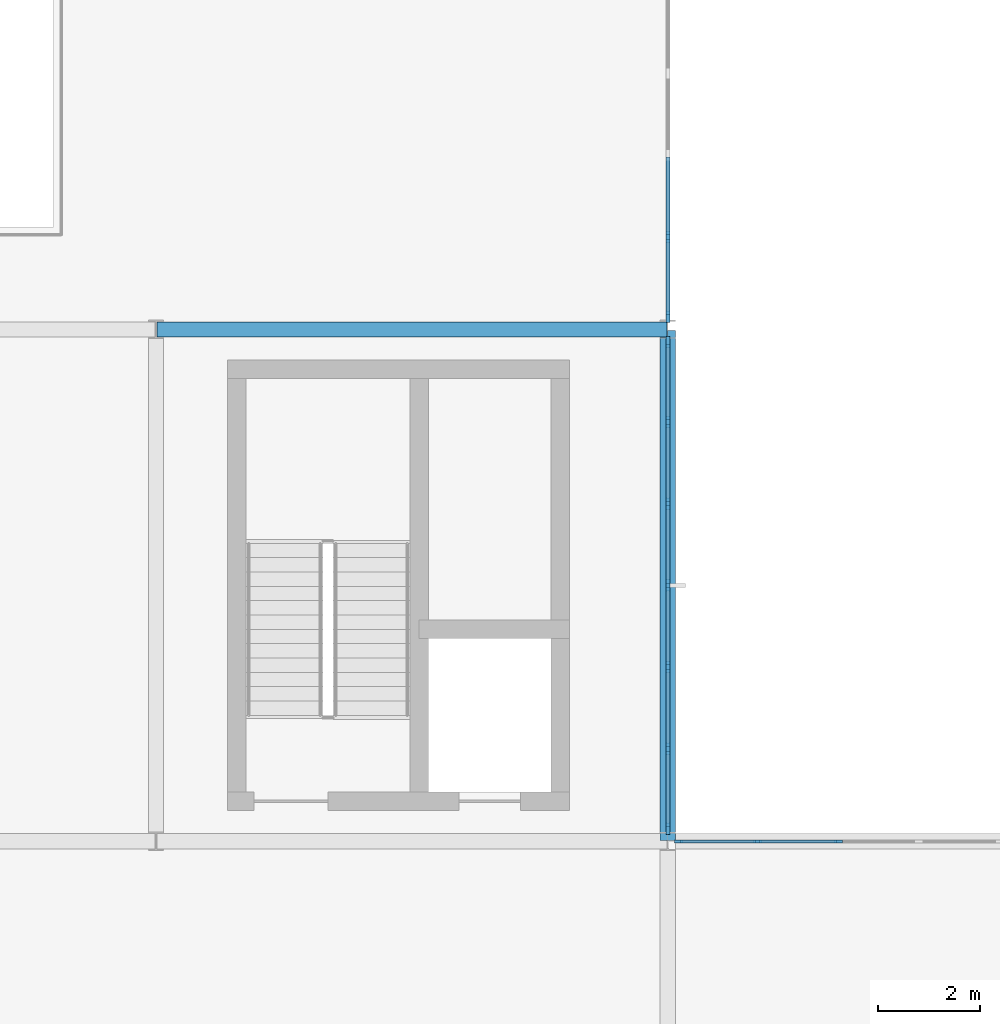
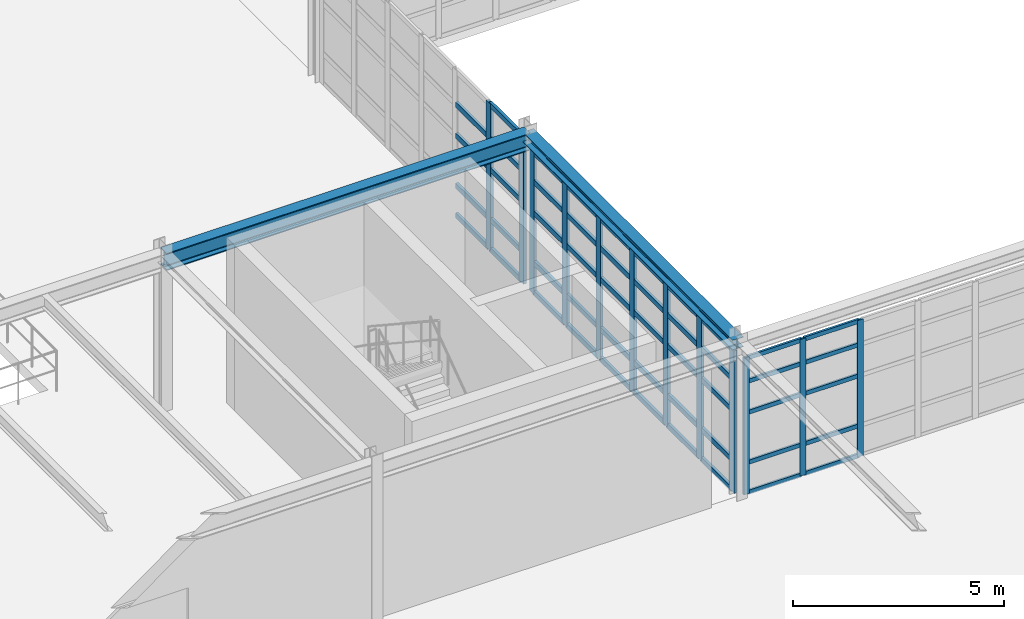
# One storey, part 42 of 139: 61 members, 2 beams, 3 elements without a shape of their own.
"""IFC4 building model written with IfcOpenShell, lengths in metres."""

from ifc_helpers import new_model, si_unit, direction, frame, origin, origin_2d, place, context, subcontext, project, spatial, rectangle, i_section, extrude, material, layer, layer_set, material_profile, profile_set, type_object, element, aggregate, save


model = new_model("IFC4")

# Units and contexts
model_context = context("Model", 3, precision=1e-05, world=origin(), true_north=direction((0.0, 1.0)))
body_context = subcontext(model_context, "Body", "Model", "MODEL_VIEW")
ifc_project = project(units=[si_unit("LENGTHUNIT", "METRE"), si_unit("AREAUNIT", "SQUARE_METRE"), si_unit("VOLUMEUNIT", "CUBIC_METRE"), si_unit("PLANEANGLEUNIT", "RADIAN"), si_unit("MASSUNIT", "GRAM", prefix="KILO"), si_unit("THERMODYNAMICTEMPERATUREUNIT", "KELVIN"), si_unit("POWERUNIT", "WATT")], contexts=[model_context])

# Site, building, storey
site_placement = place(None, origin())
site = spatial("IfcSite", under=ifc_project, at=site_placement, CompositionType="ELEMENT")
building_placement = place(site_placement, origin())
building = spatial("IfcBuilding", under=site, at=building_placement, Name="Korenveer Ferry Terminal", CompositionType="ELEMENT")
storey_placement = place(building_placement, frame((0.0, 0.0, 5.39990234375)))
storey = spatial("IfcBuildingStorey", under=building, at=storey_placement, Name="L01", CompositionType="ELEMENT", Elevation=5.39990234375)

# Curtain wall, members
ifc_material_1 = material(Name="Unitised bronze-and-glass curtain wall", Category="glass")
ifc_layer_1 = layer(ifc_material_1, 0.159912109375)
ifc_layer_set_1 = layer_set([ifc_layer_1], Name="Unitised bronze-and-glass curtain wall")
curtain_wall_type_1 = type_object("IfcCurtainWallType", Name="ENV-CW-44", PredefinedType="USERDEFINED", material=ifc_layer_set_1)
curtain_wall_1_placement = place(storey_placement, frame((123.179931640625, 50.0, 0.0)))
curtain_wall_1 = element("IfcCurtainWall", 1, at=curtain_wall_1_placement, inside=storey, type_object=curtain_wall_type_1, Name="Lancet curtain wall CWX-L01-X123-136-Y50-50", ObjectType="UNITISED CURTAIN WALL", PredefinedType="USERDEFINED")
ifc_material_2 = material(Name="Anodised bronze aluminium", Category="aluminium")
ifc_material_profile_1 = material_profile(ifc_material_2, rectangle(XDim=0.06005859375, YDim=0.159912109375, at=origin_2d()), Name="ALU 60x160")
ifc_profile_set_1 = profile_set([ifc_material_profile_1], Name="Anodised bronze aluminium")
member_type_1 = type_object("IfcMemberType", Name="ENV-CWM-60X160", PredefinedType="MULLION", material=ifc_profile_set_1)
member_1_placement = place(storey_placement, frame((123.2099609375, 50.0, 0.0), z_axis=(0.0, 0.0, 1.0), x_axis=(0.0, 1.0, 0.0)))
member_1 = element("IfcMember", 2, at=member_1_placement, type_object=member_type_1, Name="CW-44 mullion 1", PredefinedType="MULLION", context=body_context, shape_type="SweptSolid", body=[
    extrude(rectangle(XDim=0.06005859375, YDim=0.159912109375, at=origin_2d()), origin(), (0.0, 0.0, 1.0), 3.960205078125),
])
member_2_placement = place(storey_placement, frame((124.753662109375, 50.0, 0.0), z_axis=(0.0, 0.0, 1.0), x_axis=(0.0, 1.0, 0.0)))
member_2 = element("IfcMember", 3, at=member_2_placement, type_object=member_type_1, Name="CW-44 mullion 2", PredefinedType="MULLION", context=body_context, shape_type="SweptSolid", body=[
    extrude(rectangle(XDim=0.06005859375, YDim=0.159912109375, at=origin_2d()), origin(), (0.0, 0.0, 1.0), 3.960205078125),
])
member_3_placement = place(storey_placement, frame((126.327392578125, 50.0, 0.0), z_axis=(0.0, 0.0, 1.0), x_axis=(0.0, 1.0, 0.0)))
member_3 = element("IfcMember", 4, at=member_3_placement, type_object=member_type_1, Name="CW-44 mullion 3", PredefinedType="MULLION", context=body_context, shape_type="SweptSolid", body=[
    extrude(rectangle(XDim=0.06005859375, YDim=0.159912109375, at=origin_2d()), origin(), (0.0, 0.0, 1.0), 3.960205078125),
])

ifc_layer_2 = layer(ifc_material_1, 0.219970703125)
ifc_layer_set_2 = layer_set([ifc_layer_2], Name="Unitised bronze-and-glass curtain wall")
curtain_wall_type_2 = type_object("IfcCurtainWallType", Name="ENV-CW-73", PredefinedType="USERDEFINED", material=ifc_layer_set_2)
curtain_wall_2_placement = place(storey_placement, frame((123.0, 59.7900390625, 0.0)))
curtain_wall_2 = element("IfcCurtainWall", 5, at=curtain_wall_2_placement, inside=storey, type_object=curtain_wall_type_2, Name="Lancet curtain wall CWX-L01-X123-123-Y50-60", ObjectType="UNITISED CURTAIN WALL", PredefinedType="USERDEFINED")
ifc_material_profile_2 = material_profile(ifc_material_2, rectangle(XDim=0.074951171875, YDim=0.219970703125, at=origin_2d()), Name="ALU 75x220")
ifc_profile_set_2 = profile_set([ifc_material_profile_2], Name="Anodised bronze aluminium")
member_type_2 = type_object("IfcMemberType", Name="ENV-CWM-75X220", PredefinedType="MULLION", material=ifc_profile_set_2)
member_4_placement = place(storey_placement, frame((123.0, 59.75244140625, 0.0), z_axis=(0.0, 0.0, 1.0), x_axis=(1.0, 0.0, 0.0)))
member_4 = element("IfcMember", 6, at=member_4_placement, type_object=member_type_2, Name="CW-73 mullion 1", PredefinedType="MULLION", context=body_context, shape_type="SweptSolid", body=[
    extrude(rectangle(XDim=0.074951171875, YDim=0.219970703125, at=origin_2d()), origin(), (0.0, 0.0, 1.0), 4.130126953125),
])
member_5_placement = place(storey_placement, frame((123.0, 58.193359375, 0.0), z_axis=(0.0, 0.0, 1.0), x_axis=(1.0, 0.0, 0.0)))
member_5 = element("IfcMember", 7, at=member_5_placement, type_object=member_type_2, Name="CW-73 mullion 2", PredefinedType="MULLION", context=body_context, shape_type="SweptSolid", body=[
    extrude(rectangle(XDim=0.074951171875, YDim=0.219970703125, at=origin_2d()), origin(), (0.0, 0.0, 1.0), 4.130126953125),
])
member_6_placement = place(storey_placement, frame((123.0, 56.5966796875, 0.0), z_axis=(0.0, 0.0, 1.0), x_axis=(1.0, 0.0, 0.0)))
member_6 = element("IfcMember", 8, at=member_6_placement, type_object=member_type_2, Name="CW-73 mullion 3", PredefinedType="MULLION", context=body_context, shape_type="SweptSolid", body=[
    extrude(rectangle(XDim=0.074951171875, YDim=0.219970703125, at=origin_2d()), origin(), (0.0, 0.0, 1.0), 4.130126953125),
])
member_7_placement = place(storey_placement, frame((123.0, 55.0, 0.0), z_axis=(0.0, 0.0, 1.0), x_axis=(1.0, 0.0, 0.0)))
member_7 = element("IfcMember", 9, at=member_7_placement, type_object=member_type_2, Name="CW-73 mullion 4", PredefinedType="MULLION", context=body_context, shape_type="SweptSolid", body=[
    extrude(rectangle(XDim=0.074951171875, YDim=0.219970703125, at=origin_2d()), origin(), (0.0, 0.0, 1.0), 4.130126953125),
])
member_8_placement = place(storey_placement, frame((123.0, 53.4033203125, 0.0), z_axis=(0.0, 0.0, 1.0), x_axis=(1.0, 0.0, 0.0)))
member_8 = element("IfcMember", 10, at=member_8_placement, type_object=member_type_2, Name="CW-73 mullion 5", PredefinedType="MULLION", context=body_context, shape_type="SweptSolid", body=[
    extrude(rectangle(XDim=0.074951171875, YDim=0.219970703125, at=origin_2d()), origin(), (0.0, 0.0, 1.0), 4.130126953125),
])
member_9_placement = place(storey_placement, frame((123.0, 51.806640625, 0.0), z_axis=(0.0, 0.0, 1.0), x_axis=(1.0, 0.0, 0.0)))
member_9 = element("IfcMember", 11, at=member_9_placement, type_object=member_type_2, Name="CW-73 mullion 6", PredefinedType="MULLION", context=body_context, shape_type="SweptSolid", body=[
    extrude(rectangle(XDim=0.074951171875, YDim=0.219970703125, at=origin_2d()), origin(), (0.0, 0.0, 1.0), 4.130126953125),
])
member_10_placement = place(storey_placement, frame((123.0, 50.24755859375, 0.0), z_axis=(0.0, 0.0, 1.0), x_axis=(1.0, 0.0, 0.0)))
member_10 = element("IfcMember", 12, at=member_10_placement, type_object=member_type_2, Name="CW-73 mullion 7", PredefinedType="MULLION", context=body_context, shape_type="SweptSolid", body=[
    extrude(rectangle(XDim=0.074951171875, YDim=0.219970703125, at=origin_2d()), origin(), (0.0, 0.0, 1.0), 4.130126953125),
])

ifc_layer_3 = layer(ifc_material_1, 0.219970703125)
ifc_layer_set_3 = layer_set([ifc_layer_3], Name="Unitised bronze-and-glass curtain wall")
curtain_wall_type_3 = type_object("IfcCurtainWallType", Name="ENV-CW-74", PredefinedType="USERDEFINED", material=ifc_layer_set_3)
curtain_wall_3_placement = place(storey_placement, frame((123.0, 69.7900390625, 0.0)))
curtain_wall_3 = element("IfcCurtainWall", 13, at=curtain_wall_3_placement, inside=storey, type_object=curtain_wall_type_3, Name="Lancet curtain wall CWX-L01-X123-123-Y60-70", ObjectType="UNITISED CURTAIN WALL", PredefinedType="USERDEFINED")
member_11_placement = place(storey_placement, frame((123.0, 61.806640625, 0.0), z_axis=(0.0, 0.0, 1.0), x_axis=(1.0, 0.0, 0.0)))
member_11 = element("IfcMember", 14, at=member_11_placement, type_object=member_type_2, Name="CW-74 mullion 6", PredefinedType="MULLION", context=body_context, shape_type="SweptSolid", body=[
    extrude(rectangle(XDim=0.074951171875, YDim=0.219970703125, at=origin_2d()), origin(), (0.0, 0.0, 1.0), 4.260009765625),
])
member_12_placement = place(storey_placement, frame((123.0, 60.24755859375, 0.0), z_axis=(0.0, 0.0, 1.0), x_axis=(1.0, 0.0, 0.0)))
member_12 = element("IfcMember", 15, at=member_12_placement, type_object=member_type_2, Name="CW-74 mullion 7", PredefinedType="MULLION", context=body_context, shape_type="SweptSolid", body=[
    extrude(rectangle(XDim=0.074951171875, YDim=0.219970703125, at=origin_2d()), origin(), (0.0, 0.0, 1.0), 4.260009765625),
])

# Member
ifc_material_profile_3 = material_profile(ifc_material_2, rectangle(XDim=0.06005859375, YDim=0.1201171875, at=origin_2d()), Name="ALU 60x120")
ifc_profile_set_3 = profile_set([ifc_material_profile_3], Name="Anodised bronze aluminium")
member_type_3 = type_object("IfcMemberType", Name="ENV-CWT-60X120", PredefinedType="USERDEFINED", material=ifc_profile_set_3)
member_13_placement = place(storey_placement, frame((123.239990234375, 50.0, 0.030029296875), z_axis=(1.0, 0.0, 0.0), x_axis=(0.0, 1.0, 0.0)))
member_13 = element("IfcMember", 16, at=member_13_placement, type_object=member_type_3, Name="CW-44 transom 1.1", ObjectType="TRANSOM", PredefinedType="USERDEFINED", context=body_context, shape_type="SweptSolid", body=[
    extrude(rectangle(XDim=0.06005859375, YDim=0.1201171875, at=origin_2d()), origin(), (0.0, 0.0, 1.0), 1.483642578125),
])

member_14_placement = place(storey_placement, frame((123.239990234375, 50.0, 0.900146484375), z_axis=(1.0, 0.0, 0.0), x_axis=(0.0, 1.0, 0.0)))
member_14 = element("IfcMember", 17, at=member_14_placement, type_object=member_type_3, Name="CW-44 transom 1.2", ObjectType="TRANSOM", PredefinedType="USERDEFINED", context=body_context, shape_type="SweptSolid", body=[
    extrude(rectangle(XDim=0.06005859375, YDim=0.1201171875, at=origin_2d()), origin(), (0.0, 0.0, 1.0), 1.483642578125),
])

member_15_placement = place(storey_placement, frame((123.239990234375, 50.0, 2.35009765625), z_axis=(1.0, 0.0, 0.0), x_axis=(0.0, 1.0, 0.0)))
member_15 = element("IfcMember", 18, at=member_15_placement, type_object=member_type_3, Name="CW-44 transom 1.3", ObjectType="TRANSOM", PredefinedType="USERDEFINED", context=body_context, shape_type="SweptSolid", body=[
    extrude(rectangle(XDim=0.06005859375, YDim=0.1201171875, at=origin_2d()), origin(), (0.0, 0.0, 1.0), 1.483642578125),
])

member_16_placement = place(storey_placement, frame((123.239990234375, 50.0, 3.25), z_axis=(1.0, 0.0, 0.0), x_axis=(0.0, 1.0, 0.0)))
member_16 = element("IfcMember", 19, at=member_16_placement, type_object=member_type_3, Name="CW-44 transom 1.4", ObjectType="TRANSOM", PredefinedType="USERDEFINED", context=body_context, shape_type="SweptSolid", body=[
    extrude(rectangle(XDim=0.06005859375, YDim=0.1201171875, at=origin_2d()), origin(), (0.0, 0.0, 1.0), 1.483642578125),
])

member_17_placement = place(storey_placement, frame((123.239990234375, 50.0, 3.93017578125), z_axis=(1.0, 0.0, 0.0), x_axis=(0.0, 1.0, 0.0)))
member_17 = element("IfcMember", 20, at=member_17_placement, type_object=member_type_3, Name="CW-44 transom 1.5", ObjectType="TRANSOM", PredefinedType="USERDEFINED", context=body_context, shape_type="SweptSolid", body=[
    extrude(rectangle(XDim=0.06005859375, YDim=0.1201171875, at=origin_2d()), origin(), (0.0, 0.0, 1.0), 1.483642578125),
])

member_18_placement = place(storey_placement, frame((124.78369140625, 50.0, 0.030029296875), z_axis=(1.0, 0.0, 0.0), x_axis=(0.0, 1.0, 0.0)))
member_18 = element("IfcMember", 21, at=member_18_placement, type_object=member_type_3, Name="CW-44 transom 2.1", ObjectType="TRANSOM", PredefinedType="USERDEFINED", context=body_context, shape_type="SweptSolid", body=[
    extrude(rectangle(XDim=0.06005859375, YDim=0.1201171875, at=origin_2d()), origin(), (0.0, 0.0, 1.0), 1.513916015625),
])

member_19_placement = place(storey_placement, frame((124.78369140625, 50.0, 0.900146484375), z_axis=(1.0, 0.0, 0.0), x_axis=(0.0, 1.0, 0.0)))
member_19 = element("IfcMember", 22, at=member_19_placement, type_object=member_type_3, Name="CW-44 transom 2.2", ObjectType="TRANSOM", PredefinedType="USERDEFINED", context=body_context, shape_type="SweptSolid", body=[
    extrude(rectangle(XDim=0.06005859375, YDim=0.1201171875, at=origin_2d()), origin(), (0.0, 0.0, 1.0), 1.513916015625),
])

member_20_placement = place(storey_placement, frame((124.78369140625, 50.0, 2.35009765625), z_axis=(1.0, 0.0, 0.0), x_axis=(0.0, 1.0, 0.0)))
member_20 = element("IfcMember", 23, at=member_20_placement, type_object=member_type_3, Name="CW-44 transom 2.3", ObjectType="TRANSOM", PredefinedType="USERDEFINED", context=body_context, shape_type="SweptSolid", body=[
    extrude(rectangle(XDim=0.06005859375, YDim=0.1201171875, at=origin_2d()), origin(), (0.0, 0.0, 1.0), 1.513916015625),
])

member_21_placement = place(storey_placement, frame((124.78369140625, 50.0, 3.25), z_axis=(1.0, 0.0, 0.0), x_axis=(0.0, 1.0, 0.0)))
member_21 = element("IfcMember", 24, at=member_21_placement, type_object=member_type_3, Name="CW-44 transom 2.4", ObjectType="TRANSOM", PredefinedType="USERDEFINED", context=body_context, shape_type="SweptSolid", body=[
    extrude(rectangle(XDim=0.06005859375, YDim=0.1201171875, at=origin_2d()), origin(), (0.0, 0.0, 1.0), 1.513916015625),
])

member_22_placement = place(storey_placement, frame((124.78369140625, 50.0, 3.93017578125), z_axis=(1.0, 0.0, 0.0), x_axis=(0.0, 1.0, 0.0)))
member_22 = element("IfcMember", 25, at=member_22_placement, type_object=member_type_3, Name="CW-44 transom 2.5", ObjectType="TRANSOM", PredefinedType="USERDEFINED", context=body_context, shape_type="SweptSolid", body=[
    extrude(rectangle(XDim=0.06005859375, YDim=0.1201171875, at=origin_2d()), origin(), (0.0, 0.0, 1.0), 1.513916015625),
])

aggregate(curtain_wall_1, [member_1, member_2, member_3, member_13, member_14, member_15, member_16, member_17, member_18, member_19, member_20, member_21, member_22])

ifc_material_profile_4 = material_profile(ifc_material_2, rectangle(XDim=0.074951171875, YDim=0.14990234375, at=origin_2d()), Name="ALU 75x150")
ifc_profile_set_4 = profile_set([ifc_material_profile_4], Name="Anodised bronze aluminium")
member_type_4 = type_object("IfcMemberType", Name="ENV-CWT-75X150", PredefinedType="USERDEFINED", material=ifc_profile_set_4)
member_23_placement = place(storey_placement, frame((123.0, 59.715087890625, 0.03759765625), z_axis=(0.0, -1.0, 0.0), x_axis=(1.0, 0.0, 0.0)))
member_23 = element("IfcMember", 26, at=member_23_placement, type_object=member_type_4, Name="CW-73 transom 1.1", ObjectType="TRANSOM", PredefinedType="USERDEFINED", context=body_context, shape_type="SweptSolid", body=[
    extrude(rectangle(XDim=0.074951171875, YDim=0.14990234375, at=origin_2d()), origin(), (0.0, 0.0, 1.0), 1.484375),
])

member_24_placement = place(storey_placement, frame((123.0, 59.715087890625, 0.900146484375), z_axis=(0.0, -1.0, 0.0), x_axis=(1.0, 0.0, 0.0)))
member_24 = element("IfcMember", 27, at=member_24_placement, type_object=member_type_4, Name="CW-73 transom 1.2", ObjectType="TRANSOM", PredefinedType="USERDEFINED", context=body_context, shape_type="SweptSolid", body=[
    extrude(rectangle(XDim=0.074951171875, YDim=0.14990234375, at=origin_2d()), origin(), (0.0, 0.0, 1.0), 1.484375),
])

member_25_placement = place(storey_placement, frame((123.0, 59.715087890625, 2.35009765625), z_axis=(0.0, -1.0, 0.0), x_axis=(1.0, 0.0, 0.0)))
member_25 = element("IfcMember", 28, at=member_25_placement, type_object=member_type_4, Name="CW-73 transom 1.3", ObjectType="TRANSOM", PredefinedType="USERDEFINED", context=body_context, shape_type="SweptSolid", body=[
    extrude(rectangle(XDim=0.074951171875, YDim=0.14990234375, at=origin_2d()), origin(), (0.0, 0.0, 1.0), 1.484375),
])

member_26_placement = place(storey_placement, frame((123.0, 59.715087890625, 3.25), z_axis=(0.0, -1.0, 0.0), x_axis=(1.0, 0.0, 0.0)))
member_26 = element("IfcMember", 29, at=member_26_placement, type_object=member_type_4, Name="CW-73 transom 1.4", ObjectType="TRANSOM", PredefinedType="USERDEFINED", context=body_context, shape_type="SweptSolid", body=[
    extrude(rectangle(XDim=0.074951171875, YDim=0.14990234375, at=origin_2d()), origin(), (0.0, 0.0, 1.0), 1.484375),
])

member_27_placement = place(storey_placement, frame((123.0, 59.715087890625, 4.092529296875), z_axis=(0.0, -1.0, 0.0), x_axis=(1.0, 0.0, 0.0)))
member_27 = element("IfcMember", 30, at=member_27_placement, type_object=member_type_4, Name="CW-73 transom 1.5", ObjectType="TRANSOM", PredefinedType="USERDEFINED", context=body_context, shape_type="SweptSolid", body=[
    extrude(rectangle(XDim=0.074951171875, YDim=0.14990234375, at=origin_2d()), origin(), (0.0, 0.0, 1.0), 1.484375),
])

member_28_placement = place(storey_placement, frame((123.0, 58.15576171875, 0.03759765625), z_axis=(0.0, -1.0, 0.0), x_axis=(1.0, 0.0, 0.0)))
member_28 = element("IfcMember", 31, at=member_28_placement, type_object=member_type_4, Name="CW-73 transom 2.1", ObjectType="TRANSOM", PredefinedType="USERDEFINED", context=body_context, shape_type="SweptSolid", body=[
    extrude(rectangle(XDim=0.074951171875, YDim=0.14990234375, at=origin_2d()), origin(), (0.0, 0.0, 1.0), 1.521484375),
])

member_29_placement = place(storey_placement, frame((123.0, 58.15576171875, 0.900146484375), z_axis=(0.0, -1.0, 0.0), x_axis=(1.0, 0.0, 0.0)))
member_29 = element("IfcMember", 32, at=member_29_placement, type_object=member_type_4, Name="CW-73 transom 2.2", ObjectType="TRANSOM", PredefinedType="USERDEFINED", context=body_context, shape_type="SweptSolid", body=[
    extrude(rectangle(XDim=0.074951171875, YDim=0.14990234375, at=origin_2d()), origin(), (0.0, 0.0, 1.0), 1.521484375),
])

member_30_placement = place(storey_placement, frame((123.0, 58.15576171875, 2.35009765625), z_axis=(0.0, -1.0, 0.0), x_axis=(1.0, 0.0, 0.0)))
member_30 = element("IfcMember", 33, at=member_30_placement, type_object=member_type_4, Name="CW-73 transom 2.3", ObjectType="TRANSOM", PredefinedType="USERDEFINED", context=body_context, shape_type="SweptSolid", body=[
    extrude(rectangle(XDim=0.074951171875, YDim=0.14990234375, at=origin_2d()), origin(), (0.0, 0.0, 1.0), 1.521484375),
])

member_31_placement = place(storey_placement, frame((123.0, 58.15576171875, 3.25), z_axis=(0.0, -1.0, 0.0), x_axis=(1.0, 0.0, 0.0)))
member_31 = element("IfcMember", 34, at=member_31_placement, type_object=member_type_4, Name="CW-73 transom 2.4", ObjectType="TRANSOM", PredefinedType="USERDEFINED", context=body_context, shape_type="SweptSolid", body=[
    extrude(rectangle(XDim=0.074951171875, YDim=0.14990234375, at=origin_2d()), origin(), (0.0, 0.0, 1.0), 1.521484375),
])

member_32_placement = place(storey_placement, frame((123.0, 58.15576171875, 4.092529296875), z_axis=(0.0, -1.0, 0.0), x_axis=(1.0, 0.0, 0.0)))
member_32 = element("IfcMember", 35, at=member_32_placement, type_object=member_type_4, Name="CW-73 transom 2.5", ObjectType="TRANSOM", PredefinedType="USERDEFINED", context=body_context, shape_type="SweptSolid", body=[
    extrude(rectangle(XDim=0.074951171875, YDim=0.14990234375, at=origin_2d()), origin(), (0.0, 0.0, 1.0), 1.521484375),
])

member_33_placement = place(storey_placement, frame((123.0, 56.55908203125, 0.03759765625), z_axis=(0.0, -1.0, 0.0), x_axis=(1.0, 0.0, 0.0)))
member_33 = element("IfcMember", 36, at=member_33_placement, type_object=member_type_4, Name="CW-73 transom 3.1", ObjectType="TRANSOM", PredefinedType="USERDEFINED", context=body_context, shape_type="SweptSolid", body=[
    extrude(rectangle(XDim=0.074951171875, YDim=0.14990234375, at=origin_2d()), origin(), (0.0, 0.0, 1.0), 1.521484375),
])

member_34_placement = place(storey_placement, frame((123.0, 56.55908203125, 0.900146484375), z_axis=(0.0, -1.0, 0.0), x_axis=(1.0, 0.0, 0.0)))
member_34 = element("IfcMember", 37, at=member_34_placement, type_object=member_type_4, Name="CW-73 transom 3.2", ObjectType="TRANSOM", PredefinedType="USERDEFINED", context=body_context, shape_type="SweptSolid", body=[
    extrude(rectangle(XDim=0.074951171875, YDim=0.14990234375, at=origin_2d()), origin(), (0.0, 0.0, 1.0), 1.521484375),
])

member_35_placement = place(storey_placement, frame((123.0, 56.55908203125, 2.35009765625), z_axis=(0.0, -1.0, 0.0), x_axis=(1.0, 0.0, 0.0)))
member_35 = element("IfcMember", 38, at=member_35_placement, type_object=member_type_4, Name="CW-73 transom 3.3", ObjectType="TRANSOM", PredefinedType="USERDEFINED", context=body_context, shape_type="SweptSolid", body=[
    extrude(rectangle(XDim=0.074951171875, YDim=0.14990234375, at=origin_2d()), origin(), (0.0, 0.0, 1.0), 1.521484375),
])

member_36_placement = place(storey_placement, frame((123.0, 56.55908203125, 3.25), z_axis=(0.0, -1.0, 0.0), x_axis=(1.0, 0.0, 0.0)))
member_36 = element("IfcMember", 39, at=member_36_placement, type_object=member_type_4, Name="CW-73 transom 3.4", ObjectType="TRANSOM", PredefinedType="USERDEFINED", context=body_context, shape_type="SweptSolid", body=[
    extrude(rectangle(XDim=0.074951171875, YDim=0.14990234375, at=origin_2d()), origin(), (0.0, 0.0, 1.0), 1.521484375),
])

member_37_placement = place(storey_placement, frame((123.0, 56.55908203125, 4.092529296875), z_axis=(0.0, -1.0, 0.0), x_axis=(1.0, 0.0, 0.0)))
member_37 = element("IfcMember", 40, at=member_37_placement, type_object=member_type_4, Name="CW-73 transom 3.5", ObjectType="TRANSOM", PredefinedType="USERDEFINED", context=body_context, shape_type="SweptSolid", body=[
    extrude(rectangle(XDim=0.074951171875, YDim=0.14990234375, at=origin_2d()), origin(), (0.0, 0.0, 1.0), 1.521484375),
])

member_38_placement = place(storey_placement, frame((123.0, 54.96240234375, 0.03759765625), z_axis=(0.0, -1.0, 0.0), x_axis=(1.0, 0.0, 0.0)))
member_38 = element("IfcMember", 41, at=member_38_placement, type_object=member_type_4, Name="CW-73 transom 4.1", ObjectType="TRANSOM", PredefinedType="USERDEFINED", context=body_context, shape_type="SweptSolid", body=[
    extrude(rectangle(XDim=0.074951171875, YDim=0.14990234375, at=origin_2d()), origin(), (0.0, 0.0, 1.0), 1.521484375),
])

member_39_placement = place(storey_placement, frame((123.0, 54.96240234375, 0.900146484375), z_axis=(0.0, -1.0, 0.0), x_axis=(1.0, 0.0, 0.0)))
member_39 = element("IfcMember", 42, at=member_39_placement, type_object=member_type_4, Name="CW-73 transom 4.2", ObjectType="TRANSOM", PredefinedType="USERDEFINED", context=body_context, shape_type="SweptSolid", body=[
    extrude(rectangle(XDim=0.074951171875, YDim=0.14990234375, at=origin_2d()), origin(), (0.0, 0.0, 1.0), 1.521484375),
])

member_40_placement = place(storey_placement, frame((123.0, 54.96240234375, 2.35009765625), z_axis=(0.0, -1.0, 0.0), x_axis=(1.0, 0.0, 0.0)))
member_40 = element("IfcMember", 43, at=member_40_placement, type_object=member_type_4, Name="CW-73 transom 4.3", ObjectType="TRANSOM", PredefinedType="USERDEFINED", context=body_context, shape_type="SweptSolid", body=[
    extrude(rectangle(XDim=0.074951171875, YDim=0.14990234375, at=origin_2d()), origin(), (0.0, 0.0, 1.0), 1.521484375),
])

member_41_placement = place(storey_placement, frame((123.0, 54.96240234375, 3.25), z_axis=(0.0, -1.0, 0.0), x_axis=(1.0, 0.0, 0.0)))
member_41 = element("IfcMember", 44, at=member_41_placement, type_object=member_type_4, Name="CW-73 transom 4.4", ObjectType="TRANSOM", PredefinedType="USERDEFINED", context=body_context, shape_type="SweptSolid", body=[
    extrude(rectangle(XDim=0.074951171875, YDim=0.14990234375, at=origin_2d()), origin(), (0.0, 0.0, 1.0), 1.521484375),
])

member_42_placement = place(storey_placement, frame((123.0, 54.96240234375, 4.092529296875), z_axis=(0.0, -1.0, 0.0), x_axis=(1.0, 0.0, 0.0)))
member_42 = element("IfcMember", 45, at=member_42_placement, type_object=member_type_4, Name="CW-73 transom 4.5", ObjectType="TRANSOM", PredefinedType="USERDEFINED", context=body_context, shape_type="SweptSolid", body=[
    extrude(rectangle(XDim=0.074951171875, YDim=0.14990234375, at=origin_2d()), origin(), (0.0, 0.0, 1.0), 1.521484375),
])

member_43_placement = place(storey_placement, frame((123.0, 53.36572265625, 0.03759765625), z_axis=(0.0, -1.0, 0.0), x_axis=(1.0, 0.0, 0.0)))
member_43 = element("IfcMember", 46, at=member_43_placement, type_object=member_type_4, Name="CW-73 transom 5.1", ObjectType="TRANSOM", PredefinedType="USERDEFINED", context=body_context, shape_type="SweptSolid", body=[
    extrude(rectangle(XDim=0.074951171875, YDim=0.14990234375, at=origin_2d()), origin(), (0.0, 0.0, 1.0), 1.521484375),
])

member_44_placement = place(storey_placement, frame((123.0, 53.36572265625, 0.900146484375), z_axis=(0.0, -1.0, 0.0), x_axis=(1.0, 0.0, 0.0)))
member_44 = element("IfcMember", 47, at=member_44_placement, type_object=member_type_4, Name="CW-73 transom 5.2", ObjectType="TRANSOM", PredefinedType="USERDEFINED", context=body_context, shape_type="SweptSolid", body=[
    extrude(rectangle(XDim=0.074951171875, YDim=0.14990234375, at=origin_2d()), origin(), (0.0, 0.0, 1.0), 1.521484375),
])

member_45_placement = place(storey_placement, frame((123.0, 53.36572265625, 2.35009765625), z_axis=(0.0, -1.0, 0.0), x_axis=(1.0, 0.0, 0.0)))
member_45 = element("IfcMember", 48, at=member_45_placement, type_object=member_type_4, Name="CW-73 transom 5.3", ObjectType="TRANSOM", PredefinedType="USERDEFINED", context=body_context, shape_type="SweptSolid", body=[
    extrude(rectangle(XDim=0.074951171875, YDim=0.14990234375, at=origin_2d()), origin(), (0.0, 0.0, 1.0), 1.521484375),
])

member_46_placement = place(storey_placement, frame((123.0, 53.36572265625, 3.25), z_axis=(0.0, -1.0, 0.0), x_axis=(1.0, 0.0, 0.0)))
member_46 = element("IfcMember", 49, at=member_46_placement, type_object=member_type_4, Name="CW-73 transom 5.4", ObjectType="TRANSOM", PredefinedType="USERDEFINED", context=body_context, shape_type="SweptSolid", body=[
    extrude(rectangle(XDim=0.074951171875, YDim=0.14990234375, at=origin_2d()), origin(), (0.0, 0.0, 1.0), 1.521484375),
])

member_47_placement = place(storey_placement, frame((123.0, 53.36572265625, 4.092529296875), z_axis=(0.0, -1.0, 0.0), x_axis=(1.0, 0.0, 0.0)))
member_47 = element("IfcMember", 50, at=member_47_placement, type_object=member_type_4, Name="CW-73 transom 5.5", ObjectType="TRANSOM", PredefinedType="USERDEFINED", context=body_context, shape_type="SweptSolid", body=[
    extrude(rectangle(XDim=0.074951171875, YDim=0.14990234375, at=origin_2d()), origin(), (0.0, 0.0, 1.0), 1.521484375),
])

member_48_placement = place(storey_placement, frame((123.0, 51.769287109375, 0.03759765625), z_axis=(0.0, -1.0, 0.0), x_axis=(1.0, 0.0, 0.0)))
member_48 = element("IfcMember", 51, at=member_48_placement, type_object=member_type_4, Name="CW-73 transom 6.1", ObjectType="TRANSOM", PredefinedType="USERDEFINED", context=body_context, shape_type="SweptSolid", body=[
    extrude(rectangle(XDim=0.074951171875, YDim=0.14990234375, at=origin_2d()), origin(), (0.0, 0.0, 1.0), 1.484375),
])

member_49_placement = place(storey_placement, frame((123.0, 51.769287109375, 0.900146484375), z_axis=(0.0, -1.0, 0.0), x_axis=(1.0, 0.0, 0.0)))
member_49 = element("IfcMember", 52, at=member_49_placement, type_object=member_type_4, Name="CW-73 transom 6.2", ObjectType="TRANSOM", PredefinedType="USERDEFINED", context=body_context, shape_type="SweptSolid", body=[
    extrude(rectangle(XDim=0.074951171875, YDim=0.14990234375, at=origin_2d()), origin(), (0.0, 0.0, 1.0), 1.484375),
])

member_50_placement = place(storey_placement, frame((123.0, 51.769287109375, 2.35009765625), z_axis=(0.0, -1.0, 0.0), x_axis=(1.0, 0.0, 0.0)))
member_50 = element("IfcMember", 53, at=member_50_placement, type_object=member_type_4, Name="CW-73 transom 6.3", ObjectType="TRANSOM", PredefinedType="USERDEFINED", context=body_context, shape_type="SweptSolid", body=[
    extrude(rectangle(XDim=0.074951171875, YDim=0.14990234375, at=origin_2d()), origin(), (0.0, 0.0, 1.0), 1.484375),
])

member_51_placement = place(storey_placement, frame((123.0, 51.769287109375, 3.25), z_axis=(0.0, -1.0, 0.0), x_axis=(1.0, 0.0, 0.0)))
member_51 = element("IfcMember", 54, at=member_51_placement, type_object=member_type_4, Name="CW-73 transom 6.4", ObjectType="TRANSOM", PredefinedType="USERDEFINED", context=body_context, shape_type="SweptSolid", body=[
    extrude(rectangle(XDim=0.074951171875, YDim=0.14990234375, at=origin_2d()), origin(), (0.0, 0.0, 1.0), 1.484375),
])

member_52_placement = place(storey_placement, frame((123.0, 51.769287109375, 4.092529296875), z_axis=(0.0, -1.0, 0.0), x_axis=(1.0, 0.0, 0.0)))
member_52 = element("IfcMember", 55, at=member_52_placement, type_object=member_type_4, Name="CW-73 transom 6.5", ObjectType="TRANSOM", PredefinedType="USERDEFINED", context=body_context, shape_type="SweptSolid", body=[
    extrude(rectangle(XDim=0.074951171875, YDim=0.14990234375, at=origin_2d()), origin(), (0.0, 0.0, 1.0), 1.484375),
])

aggregate(curtain_wall_2, [member_4, member_5, member_6, member_7, member_8, member_9, member_10, member_23, member_24, member_25, member_26, member_27, member_28, member_29, member_30, member_31, member_32, member_33, member_34, member_35, member_36, member_37, member_38, member_39, member_40, member_41, member_42, member_43, member_44, member_45, member_46, member_47, member_48, member_49, member_50, member_51, member_52])

member_53_placement = place(storey_placement, frame((123.0, 63.36572265625, 0.03759765625), z_axis=(0.0, -1.0, 0.0), x_axis=(1.0, 0.0, 0.0)))
member_53 = element("IfcMember", 56, at=member_53_placement, type_object=member_type_4, Name="CW-74 transom 5.1", ObjectType="TRANSOM", PredefinedType="USERDEFINED", context=body_context, shape_type="SweptSolid", body=[
    extrude(rectangle(XDim=0.074951171875, YDim=0.14990234375, at=origin_2d()), origin(), (0.0, 0.0, 1.0), 1.521484375),
])

member_54_placement = place(storey_placement, frame((123.0, 63.36572265625, 0.900146484375), z_axis=(0.0, -1.0, 0.0), x_axis=(1.0, 0.0, 0.0)))
member_54 = element("IfcMember", 57, at=member_54_placement, type_object=member_type_4, Name="CW-74 transom 5.2", ObjectType="TRANSOM", PredefinedType="USERDEFINED", context=body_context, shape_type="SweptSolid", body=[
    extrude(rectangle(XDim=0.074951171875, YDim=0.14990234375, at=origin_2d()), origin(), (0.0, 0.0, 1.0), 1.521484375),
])

member_55_placement = place(storey_placement, frame((123.0, 63.36572265625, 2.35009765625), z_axis=(0.0, -1.0, 0.0), x_axis=(1.0, 0.0, 0.0)))
member_55 = element("IfcMember", 58, at=member_55_placement, type_object=member_type_4, Name="CW-74 transom 5.3", ObjectType="TRANSOM", PredefinedType="USERDEFINED", context=body_context, shape_type="SweptSolid", body=[
    extrude(rectangle(XDim=0.074951171875, YDim=0.14990234375, at=origin_2d()), origin(), (0.0, 0.0, 1.0), 1.521484375),
])

member_56_placement = place(storey_placement, frame((123.0, 63.36572265625, 3.25), z_axis=(0.0, -1.0, 0.0), x_axis=(1.0, 0.0, 0.0)))
member_56 = element("IfcMember", 59, at=member_56_placement, type_object=member_type_4, Name="CW-74 transom 5.4", ObjectType="TRANSOM", PredefinedType="USERDEFINED", context=body_context, shape_type="SweptSolid", body=[
    extrude(rectangle(XDim=0.074951171875, YDim=0.14990234375, at=origin_2d()), origin(), (0.0, 0.0, 1.0), 1.521484375),
])

member_57_placement = place(storey_placement, frame((123.0, 61.769287109375, 0.03759765625), z_axis=(0.0, -1.0, 0.0), x_axis=(1.0, 0.0, 0.0)))
member_57 = element("IfcMember", 60, at=member_57_placement, type_object=member_type_4, Name="CW-74 transom 6.1", ObjectType="TRANSOM", PredefinedType="USERDEFINED", context=body_context, shape_type="SweptSolid", body=[
    extrude(rectangle(XDim=0.074951171875, YDim=0.14990234375, at=origin_2d()), origin(), (0.0, 0.0, 1.0), 1.484375),
])

member_58_placement = place(storey_placement, frame((123.0, 61.769287109375, 0.900146484375), z_axis=(0.0, -1.0, 0.0), x_axis=(1.0, 0.0, 0.0)))
member_58 = element("IfcMember", 61, at=member_58_placement, type_object=member_type_4, Name="CW-74 transom 6.2", ObjectType="TRANSOM", PredefinedType="USERDEFINED", context=body_context, shape_type="SweptSolid", body=[
    extrude(rectangle(XDim=0.074951171875, YDim=0.14990234375, at=origin_2d()), origin(), (0.0, 0.0, 1.0), 1.484375),
])

member_59_placement = place(storey_placement, frame((123.0, 61.769287109375, 2.35009765625), z_axis=(0.0, -1.0, 0.0), x_axis=(1.0, 0.0, 0.0)))
member_59 = element("IfcMember", 62, at=member_59_placement, type_object=member_type_4, Name="CW-74 transom 6.3", ObjectType="TRANSOM", PredefinedType="USERDEFINED", context=body_context, shape_type="SweptSolid", body=[
    extrude(rectangle(XDim=0.074951171875, YDim=0.14990234375, at=origin_2d()), origin(), (0.0, 0.0, 1.0), 1.484375),
])

member_60_placement = place(storey_placement, frame((123.0, 61.769287109375, 3.25), z_axis=(0.0, -1.0, 0.0), x_axis=(1.0, 0.0, 0.0)))
member_60 = element("IfcMember", 63, at=member_60_placement, type_object=member_type_4, Name="CW-74 transom 6.4", ObjectType="TRANSOM", PredefinedType="USERDEFINED", context=body_context, shape_type="SweptSolid", body=[
    extrude(rectangle(XDim=0.074951171875, YDim=0.14990234375, at=origin_2d()), origin(), (0.0, 0.0, 1.0), 1.484375),
])

member_61_placement = place(storey_placement, frame((123.0, 61.769287109375, 4.22265625), z_axis=(0.0, -1.0, 0.0), x_axis=(1.0, 0.0, 0.0)))
member_61 = element("IfcMember", 64, at=member_61_placement, type_object=member_type_4, Name="CW-74 transom 6.5", ObjectType="TRANSOM", PredefinedType="USERDEFINED", context=body_context, shape_type="SweptSolid", body=[
    extrude(rectangle(XDim=0.074951171875, YDim=0.14990234375, at=origin_2d()), origin(), (0.0, 0.0, 1.0), 1.484375),
])

aggregate(curtain_wall_3, [member_11, member_12, member_53, member_54, member_55, member_56, member_57, member_58, member_59, member_60, member_61])

# Beams
ifc_material_3 = material(Name="Steel S355", Category="steel")
ifc_material_profile_5 = material_profile(ifc_material_3, i_section(OverallWidth=0.300048828125, OverallDepth=0.2900390625, WebThickness=0.008544921875, FlangeThickness=0.013916015625, FilletRadius=0.027099609375, at=origin_2d()), Name="HEA 300")
ifc_profile_set_5 = profile_set([ifc_material_profile_5], Name="Steel S355")
beam_type_1 = type_object("IfcBeamType", Name="STR-BM-HEA300", PredefinedType="BEAM", material=ifc_profile_set_5)
beam_1_placement = place(storey_placement, frame((123.0, 50.02001953125, 4.405029296875), z_axis=(0.0, 1.0, 0.0), x_axis=(-1.0, 0.0, 0.0)))
element("IfcBeam", 65, at=beam_1_placement, inside=storey, type_object=beam_type_1, Name="Primary Y girder BMY-L02-X123-Y50-60", PredefinedType="BEAM", context=body_context, shape_type="SweptSolid", body=[
    extrude(i_section(OverallWidth=0.300048828125, OverallDepth=0.2900390625, WebThickness=0.008544921875, FlangeThickness=0.013916015625, FilletRadius=0.027099609375, at=origin_2d()), origin(), (0.0, 0.0, 1.0), 9.9599609375),
])
ifc_material_profile_6 = material_profile(ifc_material_3, i_section(OverallWidth=0.300048828125, OverallDepth=0.5, WebThickness=0.014404296875, FlangeThickness=0.028076171875, FilletRadius=0.027099609375, at=origin_2d()), Name="HEB 500")
ifc_profile_set_6 = profile_set([ifc_material_profile_6], Name="Steel S355")
beam_type_2 = type_object("IfcBeamType", Name="STR-BM-HEB500", PredefinedType="BEAM", material=ifc_profile_set_6)
beam_2_placement = place(storey_placement, frame((113.02001953125, 60.0, 4.300048828125), z_axis=(1.0, 0.0, 0.0), x_axis=(0.0, 1.0, 0.0)))
element("IfcBeam", 66, at=beam_2_placement, inside=storey, type_object=beam_type_2, Name="Primary X girder BMX-L02-X113-123-Y60", PredefinedType="BEAM", context=body_context, shape_type="SweptSolid", body=[
    extrude(i_section(OverallWidth=0.300048828125, OverallDepth=0.5, WebThickness=0.014404296875, FlangeThickness=0.028076171875, FilletRadius=0.027099609375, at=origin_2d()), origin(), (0.0, 0.0, 1.0), 9.9599609375),
])

save(model, "model.ifc")
